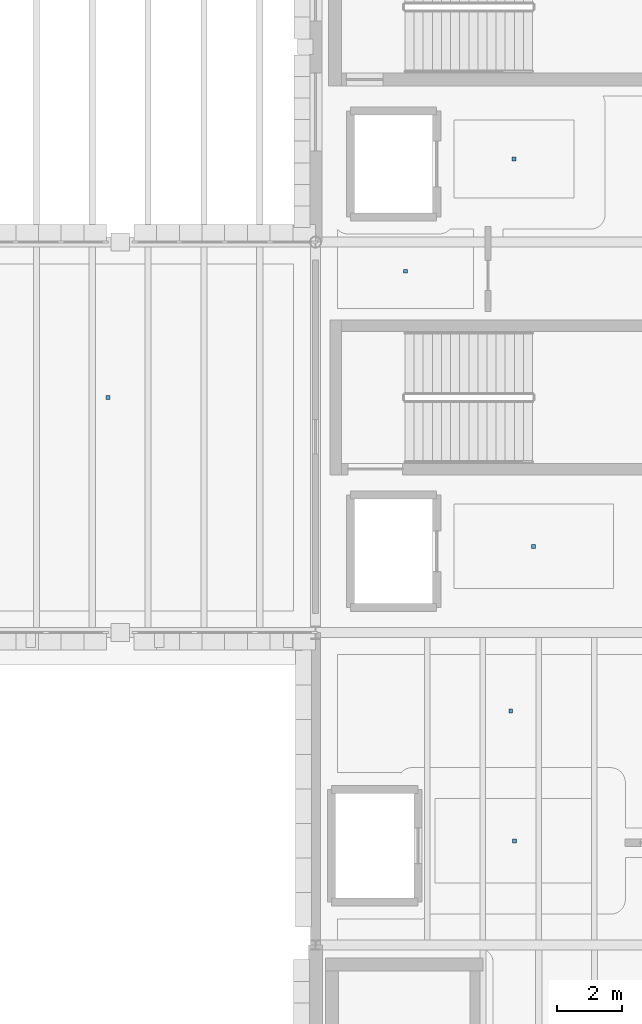
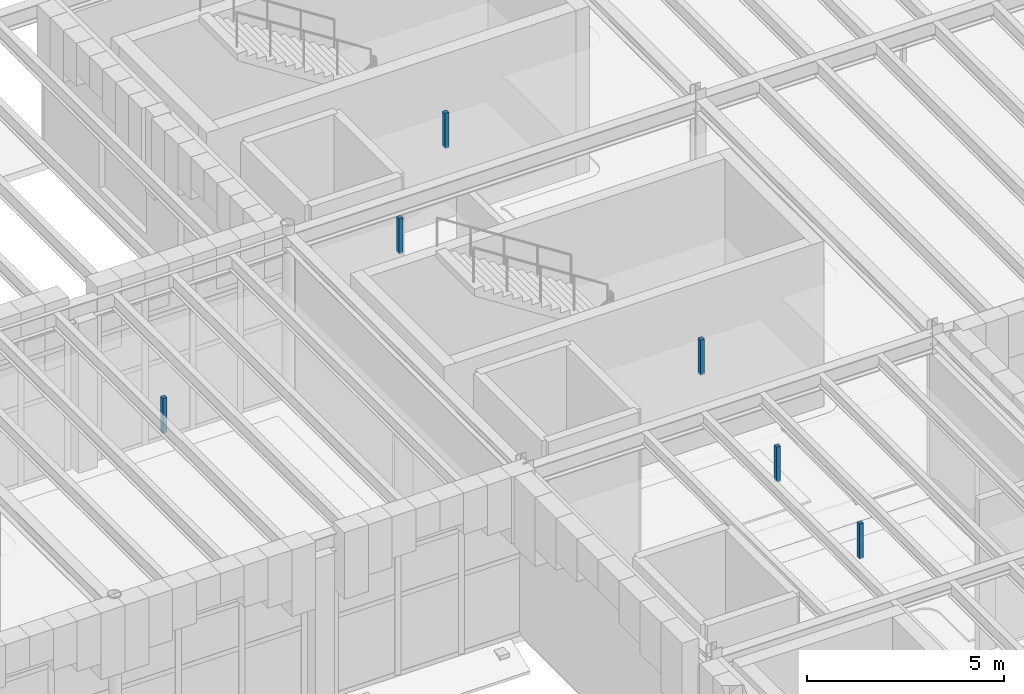
# One storey, part 67 of 100: 6 discrete accessories.
"""IFC4 building model written with IfcOpenShell, lengths in metres."""

from ifc_helpers import new_model, si_unit, direction, frame, origin, origin_2d, place, context, subcontext, project, spatial, rectangle, extrude, material, type_object, element, save


model = new_model("IFC4")

# Units and contexts
model_context = context("Model", 3, precision=1e-05, world=origin(), true_north=direction((0.0, 1.0)))
body_context = subcontext(model_context, "Body", "Model", "MODEL_VIEW")
ifc_project = project(units=[si_unit("LENGTHUNIT", "METRE"), si_unit("AREAUNIT", "SQUARE_METRE"), si_unit("VOLUMEUNIT", "CUBIC_METRE"), si_unit("PLANEANGLEUNIT", "RADIAN"), si_unit("MASSUNIT", "GRAM", prefix="KILO")], contexts=[model_context])

# Site, building, storey
site_placement = place(None, origin())
site = spatial("IfcSite", under=ifc_project, at=site_placement, CompositionType="ELEMENT")
building_placement = place(site_placement, origin())
building = spatial("IfcBuilding", under=site, at=building_placement, Name="Zlatogorsky Bluff Art Gallery", CompositionType="ELEMENT")
storey_placement = place(building_placement, frame((0.0, 0.0, 5.39990234375)))
storey = spatial("IfcBuildingStorey", under=building, at=storey_placement, Name="L01", CompositionType="ELEMENT", Elevation=5.39990234375)

# Discrete accessories
ifc_material = material(Name="Steel S355", Category="steel")
discrete_accessory_type = type_object("IfcDiscreteAccessoryType", Name="Stainless Facade Fin Bracket BRK-01", PredefinedType="BRACKET", material=ifc_material)
for number, where, z_axis, x_axis, name in (
    (1, (126.1201171875, 77.60009765625, 4.05517578125), (0.0, 0.0, 1.0), (1.0, 0.0, 0.0), "Acoustic ceiling suspension hanger L01-FL-1-LB"),
    (2, (126.699951171875, 86.64990234375, 4.05517578125), (0.0, 0.0, 1.0), (1.0, 0.0, 0.0), "Acoustic ceiling suspension hanger L01-FL-2-LB"),
    (3, (126.10009765625, 98.550048828125, 4.05517578125), (0.0, 0.0, 1.0), (1.0, 0.0, 0.0), "Acoustic ceiling suspension hanger L01-PL-1-LB"),
    (4, (113.6201171875, 91.22509765625, 4.05517578125), (0.0, 0.0, 1.0), (1.0, 0.0, 0.0), "Acoustic ceiling suspension hanger L01-G2-13"),
    (5, (126.0, 81.590087890625, 4.05517578125), (0.0, 0.0, 1.0), (1.0, 0.0, 0.0), "Acoustic ceiling suspension hanger L01-C1-14"),
    (6, (122.762451171875, 95.10498046875, 4.05517578125), (0.0, 0.0, 1.0), (1.0, 0.0, 0.0), "Acoustic ceiling suspension hanger L01-ST-11"),
):
    element("IfcDiscreteAccessory", number, at=place(storey_placement, frame(where, z_axis=z_axis, x_axis=x_axis)), inside=storey, type_object=discrete_accessory_type, Name=name, PredefinedType="BRACKET", context=body_context, shape_type="SweptSolid", body=[
        extrude(rectangle(XDim=0.1201171875, YDim=0.1201171875, at=origin_2d()), origin(), (0.0, 0.0, 1.0), 1.080078125),
    ])

save(model, "model.ifc")
